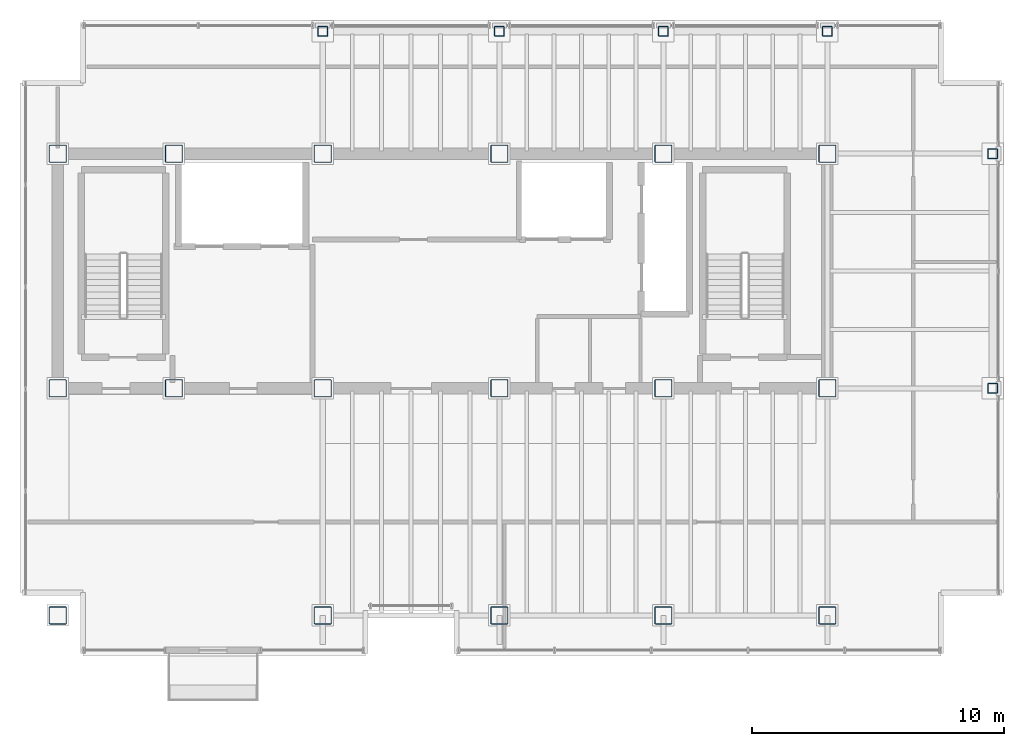
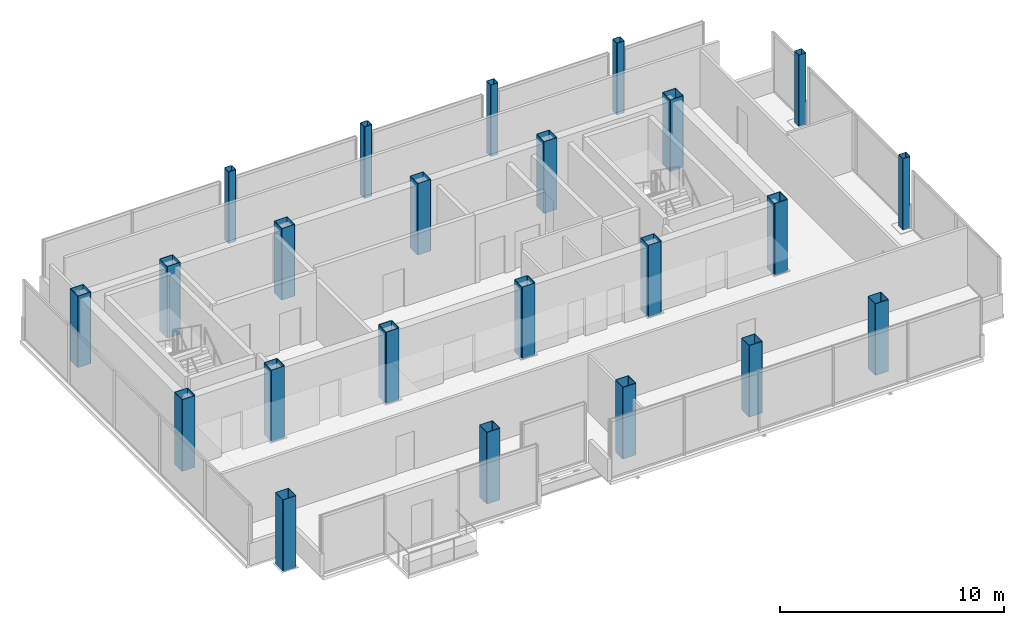
# One storey, part 1 of 17: 23 columns.
"""IFC4 building model written with IfcOpenShell, lengths in metres."""

from ifc_helpers import new_model, si_unit, direction, frame, origin, origin_2d, place, context, subcontext, project, spatial, hollow_rectangle, extrude, material, material_profile, profile_set, type_object, element, save


model = new_model("IFC4")

# Units and contexts
model_context = context("Model", 3, precision=1e-05, world=origin(), true_north=direction((0.0, 1.0)))
body_context = subcontext(model_context, "Body", "Model", "MODEL_VIEW")
ifc_project = project(units=[si_unit("LENGTHUNIT", "METRE"), si_unit("AREAUNIT", "SQUARE_METRE"), si_unit("VOLUMEUNIT", "CUBIC_METRE"), si_unit("PLANEANGLEUNIT", "RADIAN"), si_unit("MASSUNIT", "GRAM", prefix="KILO")], contexts=[model_context])

# Site, building, storey
site_placement = place(None, origin())
site = spatial("IfcSite", under=ifc_project, at=site_placement, CompositionType="ELEMENT")
building_placement = place(site_placement, origin())
building = spatial("IfcBuilding", under=site, at=building_placement, Name="Noeulbin Bourse Tower", CompositionType="ELEMENT")
storey_placement = place(building_placement, frame((0.0, 0.0, 285.199951171875)))
storey = spatial("IfcBuildingStorey", under=building, at=storey_placement, Name="L71", CompositionType="ELEMENT", Elevation=285.199951171875)

# Columns
ifc_material = material(Name="Steel S355", Category="steel")
ifc_material_profile_1 = material_profile(ifc_material, hollow_rectangle(XDim=0.39990234375, YDim=0.39990234375, WallThickness=0.02001953125, InnerFilletRadius=0.02001953125, OuterFilletRadius=0.0400390625, at=origin_2d()), Name="SHS-400x400x20", Category="LoadBearing")
ifc_profile_set_1 = profile_set([ifc_material_profile_1], Name="Steel S355")
column_type_1 = type_object("IfcColumnType", Name="COL-PER-Z4", PredefinedType="COLUMN", material=ifc_profile_set_1)
for number, where, z_axis, x_axis, name in (
    (1, (24.0, 43.14990234375, 0.0), (0.0, 0.0, 1.0), (1.0, 0.0, 0.0), "Tower Perimeter Column COL-PER-Z4 01"),
    (2, (31.0, 43.14990234375, 0.0), (0.0, 0.0, 1.0), (1.0, 0.0, 0.0), "Tower Perimeter Column COL-PER-Z4 02"),
    (3, (37.5, 43.14990234375, 0.0), (0.0, 0.0, 1.0), (1.0, 0.0, 0.0), "Tower Perimeter Column COL-PER-Z4 03"),
    (4, (44.0, 43.14990234375, 0.0), (0.0, 0.0, 1.0), (1.0, 0.0, 0.0), "Tower Perimeter Column COL-PER-Z4 04"),
    (5, (50.550048828125, 29.0, 0.0), (0.0, 0.0, 1.0), (1.0, 0.0, 0.0), "Tower Perimeter Column COL-PER-Z4 05"),
    (6, (50.550048828125, 38.300048828125, 0.0), (0.0, 0.0, 1.0), (1.0, 0.0, 0.0), "Tower Perimeter Column COL-PER-Z4 06"),
):
    element("IfcColumn", number, at=place(storey_placement, frame(where, z_axis=z_axis, x_axis=x_axis)), inside=storey, type_object=column_type_1, Name=name, PredefinedType="COLUMN", context=body_context, shape_type="SweptSolid", body=[
        extrude(hollow_rectangle(XDim=0.39990234375, YDim=0.39990234375, WallThickness=0.02001953125, InnerFilletRadius=0.02001953125, OuterFilletRadius=0.0400390625, at=origin_2d()), origin(), (0.0, 0.0, 1.0), 3.900146484375),
    ])
ifc_material_profile_2 = material_profile(ifc_material, hollow_rectangle(XDim=0.699951171875, YDim=0.699951171875, WallThickness=0.028076171875, InnerFilletRadius=0.013916015625, OuterFilletRadius=0.0419921875, at=origin_2d()), Name="BOX-700x700x28", Category="LoadBearing")
ifc_profile_set_2 = profile_set([ifc_material_profile_2], Name="Steel S355")
column_type_2 = type_object("IfcColumnType", Name="COL-TRK-Z4", PredefinedType="COLUMN", material=ifc_profile_set_2)
for number, where, z_axis, x_axis, name in (
    (7, (13.5, 29.0, 0.0), (0.0, 0.0, 1.0), (1.0, 0.0, 0.0), "Tower Trunk Mega-Column COL-TRK-Z4 01"),
    (8, (13.5, 38.300048828125, 0.0), (0.0, 0.0, 1.0), (1.0, 0.0, 0.0), "Tower Trunk Mega-Column COL-TRK-Z4 02"),
    (9, (18.10009765625, 29.0, 0.0), (0.0, 0.0, 1.0), (1.0, 0.0, 0.0), "Tower Trunk Mega-Column COL-TRK-Z4 03"),
    (10, (18.10009765625, 38.300048828125, 0.0), (0.0, 0.0, 1.0), (1.0, 0.0, 0.0), "Tower Trunk Mega-Column COL-TRK-Z4 04"),
    (11, (24.0, 29.0, 0.0), (0.0, 0.0, 1.0), (1.0, 0.0, 0.0), "Tower Trunk Mega-Column COL-TRK-Z4 05"),
    (12, (24.0, 38.300048828125, 0.0), (0.0, 0.0, 1.0), (1.0, 0.0, 0.0), "Tower Trunk Mega-Column COL-TRK-Z4 06"),
    (13, (31.0, 29.0, 0.0), (0.0, 0.0, 1.0), (1.0, 0.0, 0.0), "Tower Trunk Mega-Column COL-TRK-Z4 07"),
    (14, (31.0, 38.300048828125, 0.0), (0.0, 0.0, 1.0), (1.0, 0.0, 0.0), "Tower Trunk Mega-Column COL-TRK-Z4 08"),
    (15, (37.5, 29.0, 0.0), (0.0, 0.0, 1.0), (1.0, 0.0, 0.0), "Tower Trunk Mega-Column COL-TRK-Z4 09"),
    (16, (37.5, 38.300048828125, 0.0), (0.0, 0.0, 1.0), (1.0, 0.0, 0.0), "Tower Trunk Mega-Column COL-TRK-Z4 10"),
    (17, (44.0, 29.0, 0.0), (0.0, 0.0, 1.0), (1.0, 0.0, 0.0), "Tower Trunk Mega-Column COL-TRK-Z4 11"),
    (18, (44.0, 38.300048828125, 0.0), (0.0, 0.0, 1.0), (1.0, 0.0, 0.0), "Tower Trunk Mega-Column COL-TRK-Z4 12"),
    (19, (13.5, 20.0, 0.0), (0.0, 0.0, 1.0), (1.0, 0.0, 0.0), "Tower Trunk Mega-Column COL-TRK-Z4 13"),
    (20, (24.0, 20.0, 0.0), (0.0, 0.0, 1.0), (1.0, 0.0, 0.0), "Tower Trunk Mega-Column COL-TRK-Z4 14"),
    (21, (31.0, 20.0, 0.0), (0.0, 0.0, 1.0), (1.0, 0.0, 0.0), "Tower Trunk Mega-Column COL-TRK-Z4 15"),
    (22, (37.5, 20.0, 0.0), (0.0, 0.0, 1.0), (1.0, 0.0, 0.0), "Tower Trunk Mega-Column COL-TRK-Z4 16"),
    (23, (44.0, 20.0, 0.0), (0.0, 0.0, 1.0), (1.0, 0.0, 0.0), "Tower Trunk Mega-Column COL-TRK-Z4 17"),
):
    element("IfcColumn", number, at=place(storey_placement, frame(where, z_axis=z_axis, x_axis=x_axis)), inside=storey, type_object=column_type_2, Name=name, PredefinedType="COLUMN", context=body_context, shape_type="SweptSolid", body=[
        extrude(hollow_rectangle(XDim=0.699951171875, YDim=0.699951171875, WallThickness=0.028076171875, InnerFilletRadius=0.013916015625, OuterFilletRadius=0.0419921875, at=origin_2d()), origin(), (0.0, 0.0, 1.0), 3.900146484375),
    ])

save(model, "model.ifc")
